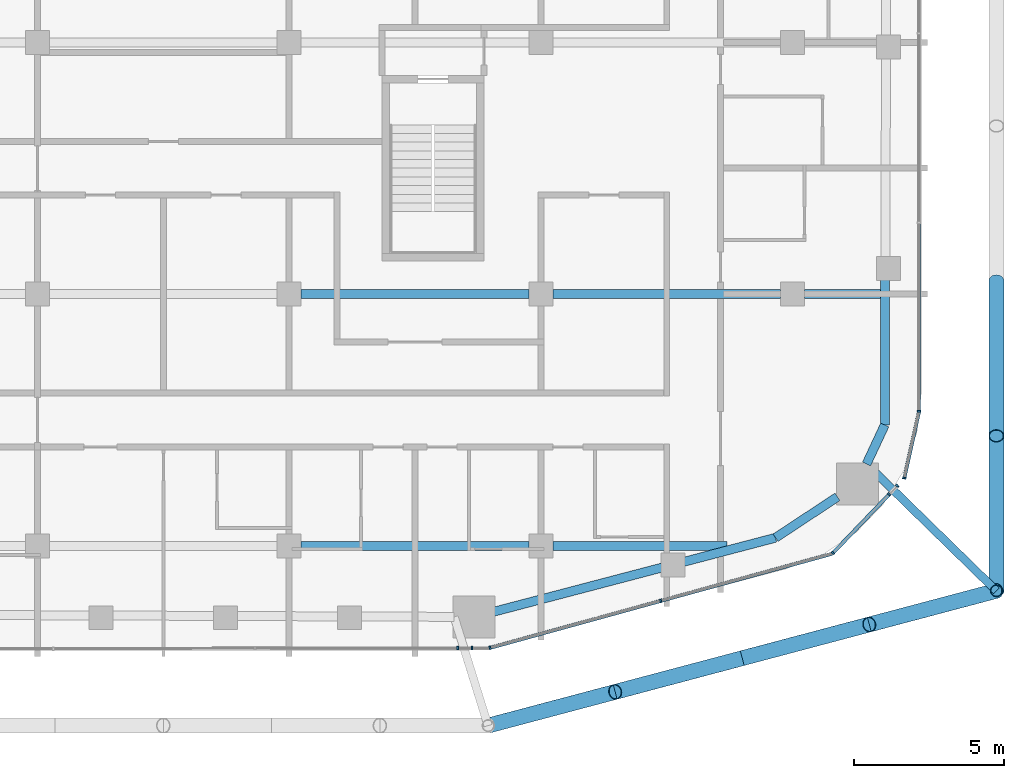
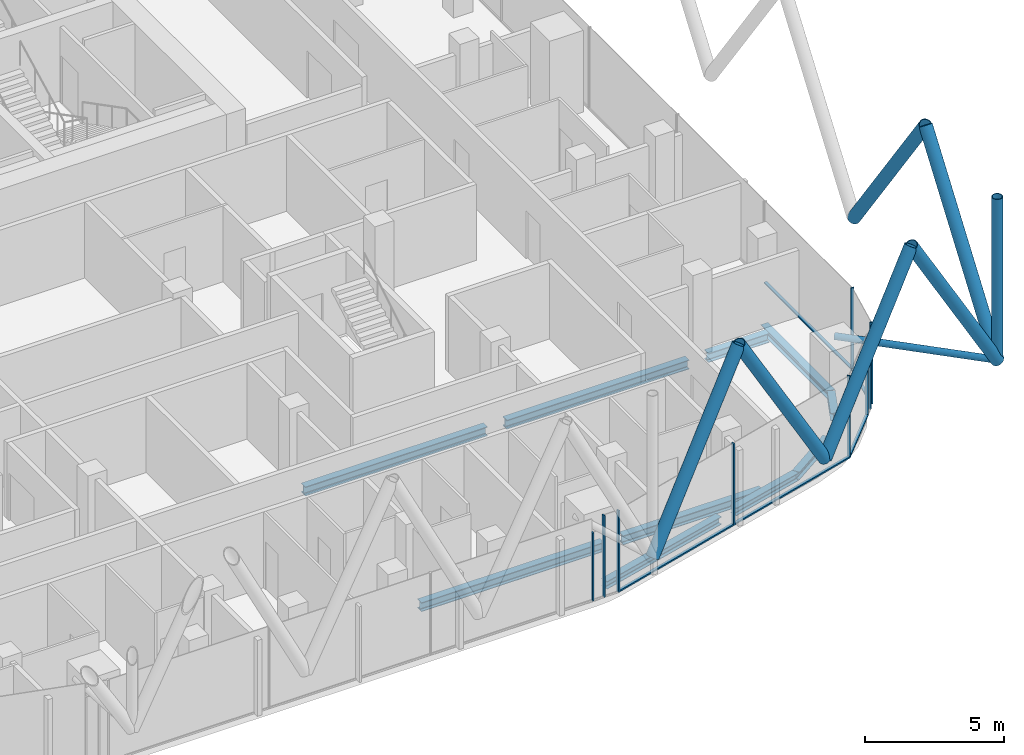
# One storey, part 6 of 28: 22 members, 10 beams, 7 elements without a shape of their own.
"""IFC4 building model written with IfcOpenShell, lengths in metres."""

from ifc_helpers import new_model, si_unit, direction, frame, origin, origin_2d, place, context, subcontext, project, spatial, rectangle, hollow_circle, i_section, extrude, material, layer, layer_set, material_profile, profile_set, type_object, element, aggregate, save


model = new_model("IFC4")

# Units and contexts
model_context = context("Model", 3, precision=1e-05, world=origin(), true_north=direction((0.0, 1.0)))
body_context = subcontext(model_context, "Body", "Model", "MODEL_VIEW")
ifc_project = project(units=[si_unit("LENGTHUNIT", "METRE"), si_unit("AREAUNIT", "SQUARE_METRE"), si_unit("VOLUMEUNIT", "CUBIC_METRE"), si_unit("PLANEANGLEUNIT", "RADIAN"), si_unit("MASSUNIT", "GRAM", prefix="KILO")], contexts=[model_context])

# Site, building, storey
site_placement = place(None, origin())
site = spatial("IfcSite", under=ifc_project, at=site_placement, CompositionType="ELEMENT")
building_placement = place(site_placement, origin())
building = spatial("IfcBuilding", under=site, at=building_placement, Name="Marenta Gate Hotel Tower", CompositionType="ELEMENT")
storey_placement = place(building_placement, frame((0.0, 0.0, 227.300048828125)))
storey = spatial("IfcBuildingStorey", under=building, at=storey_placement, Name="L53", CompositionType="ELEMENT", Elevation=227.300048828125)

# Members
ifc_material_1 = material(Name="Steel S355J2W", Category="steel")
ifc_material_profile_1 = material_profile(ifc_material_1, hollow_circle(Radius=0.203125, WallThickness=0.02490234375, at=origin_2d()), Name="CHS 406.4x25")
ifc_profile_set_1 = profile_set([ifc_material_profile_1], Name="Steel S355J2W")
member_type_1 = type_object("IfcMemberType", Name="Diagrid corner post Z3 CHS 406.4x25", PredefinedType="POST", material=ifc_profile_set_1)
member_1_placement = place(storey_placement, frame((27.800048828125, -26.7001953125, 3.139892578125), z_axis=(0.0, 0.0, 1.0), x_axis=(1.0, 0.0, 0.0)))
element("IfcMember", 1, at=member_1_placement, inside=storey, type_object=member_type_1, Name="L53-DR-2", PredefinedType="POST", context=body_context, shape_type="SweptSolid", body=[
    extrude(hollow_circle(Radius=0.203125, WallThickness=0.02490234375, at=origin_2d()), origin(), (0.0, 0.0, 1.0), 7.199951171875),
])
ifc_material_2 = material(Name="Steel S355J2W", Category="steel")
ifc_material_profile_2 = material_profile(ifc_material_2, hollow_circle(Radius=0.25390625, WallThickness=0.02490234375, at=origin_2d()), Name="CHS 508x25")
ifc_profile_set_2 = profile_set([ifc_material_profile_2], Name="Steel S355J2W")
member_type_2 = type_object("IfcMemberType", Name="Diagrid diagonal Z3 CHS 508x25", PredefinedType="BRACE", material=ifc_profile_set_2)
member_2_placement = place(storey_placement, frame((27.800048828125, -16.360107421875, 3.139892578125), z_axis=(0.0, -0.583260841117, 0.812284919975), x_axis=(1.0, 0.0, 0.0)))
element("IfcMember", 2, at=member_2_placement, inside=storey, type_object=member_type_2, Name="L53-DG-9", PredefinedType="BRACE", context=body_context, shape_type="SweptSolid", body=[
    extrude(hollow_circle(Radius=0.25390625, WallThickness=0.02490234375, at=origin_2d()), origin(), (0.0, 0.0, 1.0), 8.86376953125),
])
member_3_placement = place(storey_placement, frame((27.800048828125, -26.7001953125, 3.139892578125), z_axis=(0.0, 0.583279014058, 0.812271870595), x_axis=(-1.0, 0.0, 0.0)))
element("IfcMember", 3, at=member_3_placement, inside=storey, type_object=member_type_2, Name="L53-DG-10", PredefinedType="BRACE", context=body_context, shape_type="SweptSolid", body=[
    extrude(hollow_circle(Radius=0.25390625, WallThickness=0.02490234375, at=origin_2d()), origin(), (0.0, 0.0, 1.0), 8.864013671875),
])
for number, where, z_axis, x_axis, name in (
    (4, (27.800048828125, -26.7001953125, 3.139892578125), (-0.502924018666, -0.133433548941, 0.853968921838), (0.256443187528, -0.96655930577, 0.0), "L53-DG-11"),
    (5, (19.319580078125, -28.9501953125, 3.139892578125), (0.502924018666, 0.133433548941, 0.853968921838), (-0.256443187528, 0.96655930577, 0.0), "L53-DG-12"),
    (6, (19.319580078125, -28.9501953125, 3.139892578125), (-0.502925961678, -0.133405107407, 0.853972221087), (0.256391194513, -0.966573098827, 0.0), "L53-DG-13"),
    (7, (10.839111328125, -31.199951171875, 3.139892578125), (0.502924018666, 0.133433548941, 0.853968921838), (-0.256443187528, 0.96655930577, 0.0), "L53-DG-14"),
):
    element("IfcMember", number, at=place(storey_placement, frame(where, z_axis=z_axis, x_axis=x_axis)), inside=storey, type_object=member_type_2, Name=name, PredefinedType="BRACE", context=body_context, shape_type="SweptSolid", body=[
        extrude(hollow_circle(Radius=0.25390625, WallThickness=0.02490234375, at=origin_2d()), origin(), (0.0, 0.0, 1.0), 8.43115234375),
    ])

# Beams
ifc_material_3 = material(Name="Steel S355", Category="steel")
ifc_material_profile_3 = material_profile(ifc_material_3, i_section(OverallWidth=0.300048828125, OverallDepth=0.340087890625, WebThickness=0.011962890625, FlangeThickness=0.021484375, FilletRadius=0.027099609375, at=origin_2d()), Name="HEB 340")
ifc_profile_set_3 = profile_set([ifc_material_profile_3], Name="Steel S355")
beam_type_1 = type_object("IfcBeamType", Name="Edge beam HEB 340", PredefinedType="SPANDREL", material=ifc_profile_set_3)
beam_1_placement = place(storey_placement, frame((24.09130859375, -16.31201171875, -0.429931640625), z_axis=(-0.003318732666, -0.999994492992, 0.0), x_axis=(0.999994492992, -0.003318732666, 0.0)))
element("IfcBeam", 8, at=beam_1_placement, inside=storey, type_object=beam_type_1, Name="L53-EB-27", PredefinedType="SPANDREL", context=body_context, shape_type="SweptSolid", body=[
    extrude(i_section(OverallWidth=0.300048828125, OverallDepth=0.340087890625, WebThickness=0.011962890625, FlangeThickness=0.021484375, FilletRadius=0.027099609375, at=origin_2d()), origin(), (0.0, 0.0, 1.0), 4.855224609375),
])
beam_2_placement = place(storey_placement, frame((24.0751953125, -21.167236328125, -0.429931640625), z_axis=(-0.423341112024, -0.905970365338, 0.0), x_axis=(0.905970365338, -0.423341112024, 0.0)))
element("IfcBeam", 9, at=beam_2_placement, inside=storey, type_object=beam_type_1, Name="L53-EB-28", PredefinedType="SPANDREL", context=body_context, shape_type="SweptSolid", body=[
    extrude(i_section(OverallWidth=0.300048828125, OverallDepth=0.340087890625, WebThickness=0.011962890625, FlangeThickness=0.021484375, FilletRadius=0.027099609375, at=origin_2d()), origin(), (0.0, 0.0, 1.0), 1.437255859375),
])
beam_3_placement = place(storey_placement, frame((22.496337890625, -23.56640625, -0.429931640625), z_axis=(-0.834528740585, -0.550964410047, 0.0), x_axis=(0.550964410047, -0.834528740585, 0.0)))
element("IfcBeam", 10, at=beam_3_placement, inside=storey, type_object=beam_type_1, Name="L53-EB-29", PredefinedType="SPANDREL", context=body_context, shape_type="SweptSolid", body=[
    extrude(i_section(OverallWidth=0.300048828125, OverallDepth=0.340087890625, WebThickness=0.011962890625, FlangeThickness=0.021484375, FilletRadius=0.027099609375, at=origin_2d()), origin(), (0.0, 0.0, 1.0), 2.47705078125),
])
beam_4_placement = place(storey_placement, frame((20.42919921875, -24.93115234375, -0.429931640625), z_axis=(-0.967235227858, -0.253881889845, 0.0), x_axis=(0.253881889845, -0.967235227858, 0.0)))
element("IfcBeam", 11, at=beam_4_placement, inside=storey, type_object=beam_type_1, Name="L53-EB-30", PredefinedType="SPANDREL", context=body_context, shape_type="SweptSolid", body=[
    extrude(i_section(OverallWidth=0.300048828125, OverallDepth=0.340087890625, WebThickness=0.011962890625, FlangeThickness=0.021484375, FilletRadius=0.027099609375, at=origin_2d()), origin(), (0.0, 0.0, 1.0), 3.164794921875),
])
beam_5_placement = place(storey_placement, frame((16.6455078125, -25.92431640625, -0.429931640625), z_axis=(-0.96723496524, -0.253882890359, 0.0), x_axis=(0.253882890359, -0.96723496524, 0.0)))
element("IfcBeam", 12, at=beam_5_placement, inside=storey, type_object=beam_type_1, Name="L53-EB-31", PredefinedType="SPANDREL", context=body_context, shape_type="SweptSolid", body=[
    extrude(i_section(OverallWidth=0.300048828125, OverallDepth=0.340087890625, WebThickness=0.011962890625, FlangeThickness=0.021484375, FilletRadius=0.027099609375, at=origin_2d()), origin(), (0.0, 0.0, 1.0), 5.80810546875),
])

# Member
ifc_material_4 = material(Name="Steel S355J2W", Category="steel")
ifc_material_profile_4 = material_profile(ifc_material_4, hollow_circle(Radius=0.136474609375, WallThickness=0.012451171875, at=origin_2d()), Name="CHS 273x12.5")
ifc_profile_set_4 = profile_set([ifc_material_profile_4], Name="Steel S355J2W")
member_type_3 = type_object("IfcMemberType", Name="Floor tie CHS 273x12.5", PredefinedType="STRUT", material=ifc_profile_set_4)
member_4_placement = place(storey_placement, frame((27.800048828125, -26.7001953125, 3.139892578125), z_axis=(-0.715510328178, 0.698602154499, 0.0), x_axis=(-0.698602154499, -0.715510328178, 0.0)))
element("IfcMember", 13, at=member_4_placement, inside=storey, type_object=member_type_3, Name="L53-DR-8", PredefinedType="STRUT", context=body_context, shape_type="SweptSolid", body=[
    extrude(hollow_circle(Radius=0.136474609375, WallThickness=0.012451171875, at=origin_2d()), origin(), (0.0, 0.0, 1.0), 6.050048828125),
])

# Beams
ifc_material_5 = material(Name="Steel S355", Category="steel")
ifc_material_profile_5 = material_profile(ifc_material_5, i_section(OverallWidth=0.300048828125, OverallDepth=0.39990234375, WebThickness=0.013427734375, FlangeThickness=0.02392578125, FilletRadius=0.027099609375, at=origin_2d()), Name="HEB 400")
ifc_profile_set_5 = profile_set([ifc_material_profile_5], Name="Steel S355")
beam_type_2 = type_object("IfcBeamType", Name="Girder HEB 400", PredefinedType="BEAM", material=ifc_profile_set_5)
beam_6_placement = place(storey_placement, frame((4.60009765625, -25.199951171875, -0.4599609375), z_axis=(1.0, 0.0, 0.0), x_axis=(0.0, 1.0, 0.0)))
element("IfcBeam", 14, at=beam_6_placement, inside=storey, type_object=beam_type_2, Name="L53-GD-4", PredefinedType="BEAM", context=body_context, shape_type="SweptSolid", body=[
    extrude(i_section(OverallWidth=0.300048828125, OverallDepth=0.39990234375, WebThickness=0.013427734375, FlangeThickness=0.02392578125, FilletRadius=0.027099609375, at=origin_2d()), origin(), (0.0, 0.0, 1.0), 7.599853515625),
])
beam_7_placement = place(storey_placement, frame((13.0, -25.199951171875, -0.4599609375), z_axis=(1.0, 0.0, 0.0), x_axis=(0.0, 1.0, 0.0)))
element("IfcBeam", 15, at=beam_7_placement, inside=storey, type_object=beam_type_2, Name="L53-GD-5", PredefinedType="BEAM", context=body_context, shape_type="SweptSolid", body=[
    extrude(i_section(OverallWidth=0.300048828125, OverallDepth=0.39990234375, WebThickness=0.013427734375, FlangeThickness=0.02392578125, FilletRadius=0.027099609375, at=origin_2d()), origin(), (0.0, 0.0, 1.0), 5.81396484375),
])
beam_8_placement = place(storey_placement, frame((4.60009765625, -16.800048828125, -0.4599609375), z_axis=(1.0, 0.0, 0.0), x_axis=(0.0, 1.0, 0.0)))
element("IfcBeam", 16, at=beam_8_placement, inside=storey, type_object=beam_type_2, Name="L53-GD-10", PredefinedType="BEAM", context=body_context, shape_type="SweptSolid", body=[
    extrude(i_section(OverallWidth=0.300048828125, OverallDepth=0.39990234375, WebThickness=0.013427734375, FlangeThickness=0.02392578125, FilletRadius=0.027099609375, at=origin_2d()), origin(), (0.0, 0.0, 1.0), 7.599853515625),
])
beam_9_placement = place(storey_placement, frame((13.0, -16.800048828125, -0.4599609375), z_axis=(1.0, 0.0, 0.0), x_axis=(0.0, 1.0, 0.0)))
element("IfcBeam", 17, at=beam_9_placement, inside=storey, type_object=beam_type_2, Name="L53-GD-11", PredefinedType="BEAM", context=body_context, shape_type="SweptSolid", body=[
    extrude(i_section(OverallWidth=0.300048828125, OverallDepth=0.39990234375, WebThickness=0.013427734375, FlangeThickness=0.02392578125, FilletRadius=0.027099609375, at=origin_2d()), origin(), (0.0, 0.0, 1.0), 7.60009765625),
])
beam_10_placement = place(storey_placement, frame((21.39990234375, -16.800048828125, -0.4599609375), z_axis=(1.0, 0.0, 0.0), x_axis=(0.0, 1.0, 0.0)))
element("IfcBeam", 18, at=beam_10_placement, inside=storey, type_object=beam_type_2, Name="L53-GD-12", PredefinedType="BEAM", context=body_context, shape_type="SweptSolid", body=[
    extrude(i_section(OverallWidth=0.300048828125, OverallDepth=0.39990234375, WebThickness=0.013427734375, FlangeThickness=0.02392578125, FilletRadius=0.027099609375, at=origin_2d()), origin(), (0.0, 0.0, 1.0), 2.539794921875),
])

# Curtain wall, member
ifc_material_6 = material(Name="Tinted insulated glass in bronze anodised frame", Category="glass")
ifc_layer = layer(ifc_material_6, 0.1201171875)
ifc_layer_set = layer_set([ifc_layer], Name="Tinted insulated glass in bronze anodised frame")
curtain_wall_type = type_object("IfcCurtainWallType", Name="Tower unitised curtain wall CW1", PredefinedType="NOTDEFINED", material=ifc_layer_set)
curtain_wall_1_placement = place(storey_placement, origin())
curtain_wall_1 = element("IfcCurtainWall", 19, at=curtain_wall_1_placement, inside=storey, type_object=curtain_wall_type, Name="CW1 run G13", PredefinedType="NOTDEFINED")
ifc_material_7 = material(Name="Bronze anodised aluminium", Category="aluminium")
ifc_material_profile_6 = material_profile(ifc_material_7, rectangle(XDim=0.1201171875, YDim=0.06005859375, at=origin_2d()), Name="Mullion CW1 60x120 bronze anodised aluminium")
ifc_profile_set_6 = profile_set([ifc_material_profile_6], Name="Bronze anodised aluminium")
member_type_4 = type_object("IfcMemberType", Name="Mullion CW1 60x120 bronze anodised aluminium", PredefinedType="MULLION", material=ifc_profile_set_6)
member_5_placement = place(storey_placement, frame((9.824951171875, -28.6142578125, 0.0), z_axis=(0.0, 0.0, 1.0), x_axis=(-0.001686693784, 0.999998577531, 0.0)))
member_5 = element("IfcMember", 20, at=member_5_placement, type_object=member_type_4, Name="CW1 mullion 1", PredefinedType="MULLION", context=body_context, shape_type="SweptSolid", body=[
    extrude(rectangle(XDim=0.1201171875, YDim=0.06005859375, at=origin_2d()), origin(), (0.0, 0.0, 1.0), 3.00048828125),
])
aggregate(curtain_wall_1, [member_5])

curtain_wall_2_placement = place(storey_placement, origin())
curtain_wall_2 = element("IfcCurtainWall", 21, at=curtain_wall_2_placement, inside=storey, type_object=curtain_wall_type, Name="CW1 run G14", PredefinedType="NOTDEFINED")
member_6_placement = place(storey_placement, frame((10.29931640625, -28.613525390625, 0.0), z_axis=(0.0, 0.0, 1.0), x_axis=(-0.001654257461, 0.999998631715, 0.0)))
member_6 = element("IfcMember", 22, at=member_6_placement, type_object=member_type_4, Name="CW1 mullion 1", PredefinedType="MULLION", context=body_context, shape_type="SweptSolid", body=[
    extrude(rectangle(XDim=0.1201171875, YDim=0.06005859375, at=origin_2d()), origin(), (0.0, 0.0, 1.0), 3.599853515625),
])
aggregate(curtain_wall_2, [member_6])

# Curtain wall, members
curtain_wall_3_placement = place(storey_placement, origin())
curtain_wall_3 = element("IfcCurtainWall", 23, at=curtain_wall_3_placement, inside=storey, type_object=curtain_wall_type, Name="CW1 run G15", PredefinedType="NOTDEFINED")
member_7_placement = place(storey_placement, frame((10.902587890625, -28.6044921875, 0.0), z_axis=(0.0, 0.0, 1.0), x_axis=(-0.265293272675, 0.964167765212, 0.0)))
member_7 = element("IfcMember", 24, at=member_7_placement, type_object=member_type_4, Name="CW1 mullion 1", PredefinedType="MULLION", context=body_context, shape_type="SweptSolid", body=[
    extrude(rectangle(XDim=0.1201171875, YDim=0.06005859375, at=origin_2d()), origin(), (0.0, 0.0, 1.0), 3.599853515625),
])
member_8_placement = place(storey_placement, frame((16.599365234375, -27.037109375, 0.0), z_axis=(0.0, 0.0, 1.0), x_axis=(-0.265293272675, 0.964167765212, 0.0)))
member_8 = element("IfcMember", 25, at=member_8_placement, type_object=member_type_4, Name="CW1 mullion 2", PredefinedType="MULLION", context=body_context, shape_type="SweptSolid", body=[
    extrude(rectangle(XDim=0.1201171875, YDim=0.06005859375, at=origin_2d()), origin(), (0.0, 0.0, 1.0), 3.599853515625),
])

# Curtain wall, member
curtain_wall_4_placement = place(storey_placement, origin())
curtain_wall_4 = element("IfcCurtainWall", 26, at=curtain_wall_4_placement, inside=storey, type_object=curtain_wall_type, Name="CW1 run G16", PredefinedType="NOTDEFINED")
member_9_placement = place(storey_placement, frame((22.345458984375, -25.43994140625, 0.0), z_axis=(0.0, 0.0, 1.0), x_axis=(-0.721374796599, 0.692544874237, 0.0)))
member_9 = element("IfcMember", 27, at=member_9_placement, type_object=member_type_4, Name="CW1 mullion 1", PredefinedType="MULLION", context=body_context, shape_type="SweptSolid", body=[
    extrude(rectangle(XDim=0.1201171875, YDim=0.06005859375, at=origin_2d()), origin(), (0.0, 0.0, 1.0), 3.599853515625),
])

# Curtain wall, members
curtain_wall_5_placement = place(storey_placement, origin())
curtain_wall_5 = element("IfcCurtainWall", 28, at=curtain_wall_5_placement, inside=storey, type_object=curtain_wall_type, Name="CW1 run G17", PredefinedType="NOTDEFINED")
member_10_placement = place(storey_placement, frame((24.22412109375, -23.4833984375, 0.0), z_axis=(0.0, 0.0, 1.0), x_axis=(-0.721418199888, 0.692499661278, 0.0)))
member_10 = element("IfcMember", 29, at=member_10_placement, type_object=member_type_4, Name="CW1 mullion 1", PredefinedType="MULLION", context=body_context, shape_type="SweptSolid", body=[
    extrude(rectangle(XDim=0.1201171875, YDim=0.06005859375, at=origin_2d()), origin(), (0.0, 0.0, 1.0), 3.00048828125),
])
member_11_placement = place(storey_placement, frame((24.496337890625, -23.199951171875, 0.0), z_axis=(0.0, 0.0, 1.0), x_axis=(-0.721418199888, 0.692499661278, 0.0)))
member_11 = element("IfcMember", 30, at=member_11_placement, type_object=member_type_4, Name="CW1 mullion 2", PredefinedType="MULLION", context=body_context, shape_type="SweptSolid", body=[
    extrude(rectangle(XDim=0.1201171875, YDim=0.06005859375, at=origin_2d()), origin(), (0.0, 0.0, 1.0), 3.00048828125),
])
aggregate(curtain_wall_5, [member_10, member_11])

# Curtain wall, member
curtain_wall_6_placement = place(storey_placement, origin())
curtain_wall_6 = element("IfcCurtainWall", 31, at=curtain_wall_6_placement, inside=storey, type_object=curtain_wall_type, Name="CW1 run G18", PredefinedType="NOTDEFINED")
member_12_placement = place(storey_placement, frame((24.726806640625, -22.937255859375, 0.0), z_axis=(0.0, 0.0, 1.0), x_axis=(-0.97620669183, 0.216842096529, 0.0)))
member_12 = element("IfcMember", 32, at=member_12_placement, type_object=member_type_4, Name="CW1 mullion 1", PredefinedType="MULLION", context=body_context, shape_type="SweptSolid", body=[
    extrude(rectangle(XDim=0.1201171875, YDim=0.06005859375, at=origin_2d()), origin(), (0.0, 0.0, 1.0), 3.599853515625),
])

curtain_wall_7_placement = place(storey_placement, origin())
curtain_wall_7 = element("IfcCurtainWall", 33, at=curtain_wall_7_placement, inside=storey, type_object=curtain_wall_type, Name="CW1 run G19", PredefinedType="NOTDEFINED")
member_13_placement = place(storey_placement, frame((25.214111328125, -20.7138671875, 0.0), z_axis=(0.0, 0.0, 1.0), x_axis=(-1.0, 0.0, 0.0)))
member_13 = element("IfcMember", 34, at=member_13_placement, type_object=member_type_4, Name="CW1 mullion 1", PredefinedType="MULLION", context=body_context, shape_type="SweptSolid", body=[
    extrude(rectangle(XDim=0.1201171875, YDim=0.06005859375, at=origin_2d()), origin(), (0.0, 0.0, 1.0), 3.599853515625),
])

# Member
ifc_material_8 = material(Name="Bronze anodised aluminium", Category="aluminium")
ifc_material_profile_7 = material_profile(ifc_material_8, rectangle(XDim=0.1201171875, YDim=0.06005859375, at=origin_2d()), Name="Transom CW1 60x120 bronze anodised aluminium")
ifc_profile_set_7 = profile_set([ifc_material_profile_7], Name="Bronze anodised aluminium")
member_type_5 = type_object("IfcMemberType", Name="Transom CW1 60x120 bronze anodised aluminium", PredefinedType="USERDEFINED", material=ifc_profile_set_7)
member_14_placement = place(storey_placement, frame((10.931640625, -28.5966796875, 0.030029296875), z_axis=(0.964166959812, 0.265296199758, 0.0), x_axis=(-0.265296199758, 0.964166959812, 0.0)))
member_14 = element("IfcMember", 35, at=member_14_placement, type_object=member_type_5, Name="CW1 transom 1.1", ObjectType="TRANSOM", PredefinedType="USERDEFINED", context=body_context, shape_type="SweptSolid", body=[
    extrude(rectangle(XDim=0.1201171875, YDim=0.06005859375, at=origin_2d()), origin(), (0.0, 0.0, 1.0), 5.84814453125),
])

member_15_placement = place(storey_placement, frame((16.628173828125, -27.029052734375, 0.030029296875), z_axis=(0.964169199953, 0.265288058274, 0.0), x_axis=(-0.265288058274, 0.964169199953, 0.0)))
member_15 = element("IfcMember", 36, at=member_15_placement, type_object=member_type_5, Name="CW1 transom 2.1", ObjectType="TRANSOM", PredefinedType="USERDEFINED", context=body_context, shape_type="SweptSolid", body=[
    extrude(rectangle(XDim=0.1201171875, YDim=0.06005859375, at=origin_2d()), origin(), (0.0, 0.0, 1.0), 5.908203125),
])

aggregate(curtain_wall_3, [member_7, member_8, member_14, member_15])

member_16_placement = place(storey_placement, frame((22.366455078125, -25.41845703125, 0.030029296875), z_axis=(0.692508837001, 0.721409391868, 0.0), x_axis=(-0.721409391868, 0.692508837001, 0.0)))
member_16 = element("IfcMember", 37, at=member_16_placement, type_object=member_type_5, Name="CW1 transom 1.1", ObjectType="TRANSOM", PredefinedType="USERDEFINED", context=body_context, shape_type="SweptSolid", body=[
    extrude(rectangle(XDim=0.1201171875, YDim=0.06005859375, at=origin_2d()), origin(), (0.0, 0.0, 1.0), 2.652587890625),
])

aggregate(curtain_wall_4, [member_9, member_16])

member_17_placement = place(storey_placement, frame((24.7333984375, -22.907958984375, 0.030029296875), z_axis=(0.216848830219, 0.976205196069, 0.0), x_axis=(-0.976205196069, 0.216848830219, 0.0)))
member_17 = element("IfcMember", 38, at=member_17_placement, type_object=member_type_5, Name="CW1 transom 1.1", ObjectType="TRANSOM", PredefinedType="USERDEFINED", context=body_context, shape_type="SweptSolid", body=[
    extrude(rectangle(XDim=0.1201171875, YDim=0.06005859375, at=origin_2d()), origin(), (0.0, 0.0, 1.0), 2.216796875),
])

aggregate(curtain_wall_6, [member_12, member_17])

member_18_placement = place(storey_placement, frame((25.214111328125, -20.683837890625, 0.030029296875), z_axis=(0.0, 1.0, 0.0), x_axis=(-1.0, 0.0, 0.0)))
member_18 = element("IfcMember", 39, at=member_18_placement, type_object=member_type_5, Name="CW1 transom 1.1", ObjectType="TRANSOM", PredefinedType="USERDEFINED", context=body_context, shape_type="SweptSolid", body=[
    extrude(rectangle(XDim=0.1201171875, YDim=0.06005859375, at=origin_2d()), origin(), (0.0, 0.0, 1.0), 6.232666015625),
])

aggregate(curtain_wall_7, [member_13, member_18])

save(model, "model.ifc")
